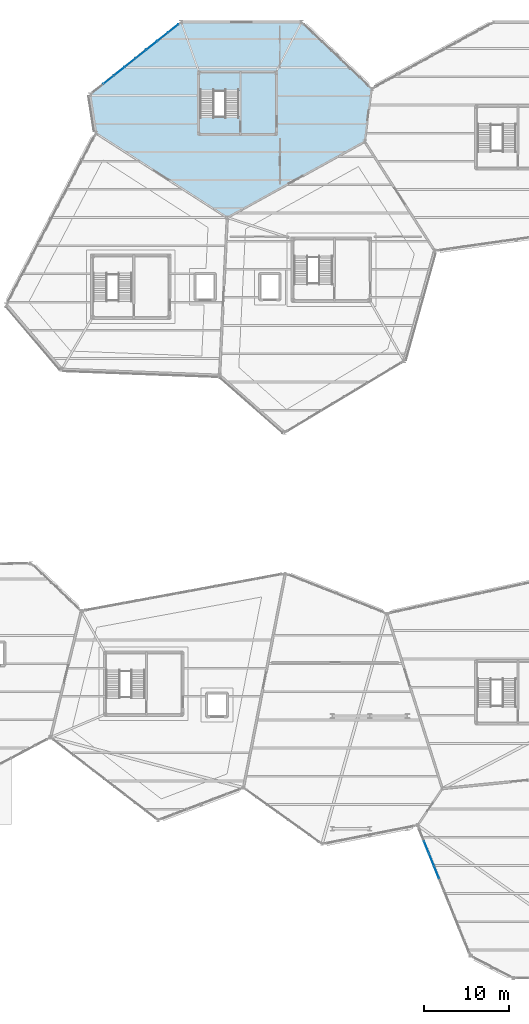
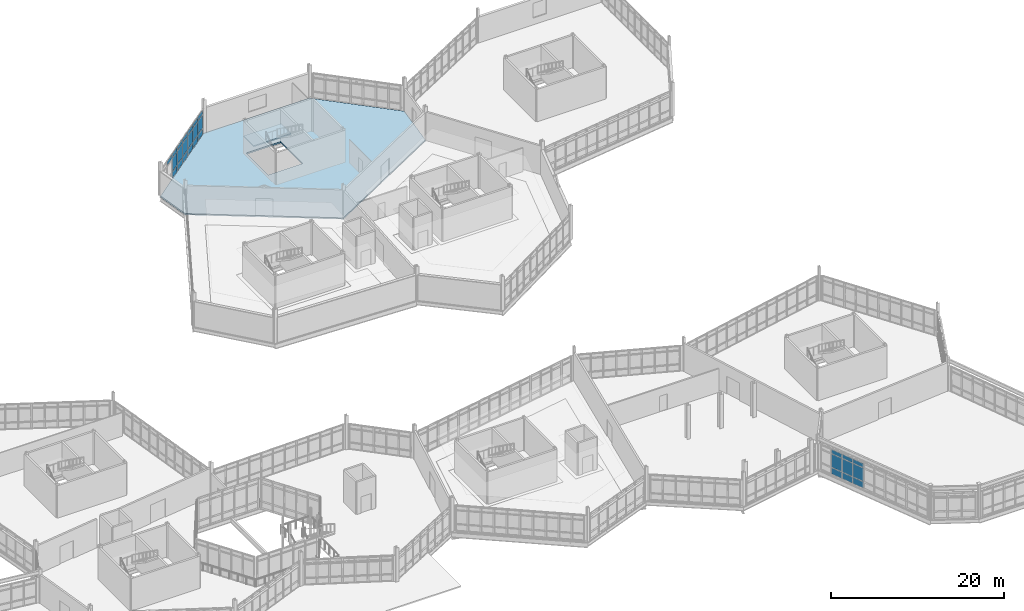
# One storey, part 95 of 134: 28 plates, 2 slabs, 3 elements without a shape of their own.
"""IFC4 building model written with IfcOpenShell, lengths in metres."""

import ifcopenshell
import ifcopenshell.guid

model = None  # the IFC model being written
_history = None  # IfcOwnerHistory: only IFC2X3 demands one
_inside = {}  # id of a spatial element -> (the spatial element, [elements in it])
_under = {}  # id of a project, library or spatial element -> (it, [spatial elements below it])
_declared = {}  # id of a project -> (the project, [libraries it declares])
_typed = {}  # id of a type object -> (the type object, [elements of that type])
_made_of = {}  # id of a material, layer set ... -> (it, [elements and type objects made of it])


def new_model(schema):
    """Start an empty IFC model of exactly this schema.

    Asked for "IFC4X3", IfcOpenShell would pick the latest addendum, in which some entities
    have other attributes; the version numbers below select the first issue.
    IFC2X3 requires an IfcOwnerHistory on every rooted entity: one is made here for all.
    """
    global model, _history
    if schema == "IFC4X3":
        model = ifcopenshell.file(schema_version=(4, 3, 0, 0))
    else:
        model = ifcopenshell.file(schema=schema)
    _inside.clear()
    _under.clear()
    _declared.clear()
    _typed.clear()
    _made_of.clear()
    _history = None
    if model.schema == "IFC2X3":
        org = make("IfcOrganization", Name="unknown")
        user = make(
            "IfcPersonAndOrganization",
            ThePerson=make("IfcPerson", FamilyName="unknown"),
            TheOrganization=org,
        )
        app = make(
            "IfcApplication",
            ApplicationDeveloper=org,
            Version="unknown",
            ApplicationFullName="unknown",
            ApplicationIdentifier="unknown",
        )
        _history = make(
            "IfcOwnerHistory",
            OwningUser=user,
            OwningApplication=app,
            ChangeAction="ADDED",
            CreationDate=0,
        )
    return model


def make(cls, **values):
    """One entity of the class cls with the attributes given. An attribute that is None is left unset."""
    return model.create_entity(
        cls, **{name: value for name, value in values.items() if value is not None}
    )


def rooted(cls, **values):
    """An entity with a GlobalId (a new one), such as an element, a storey or a relation."""
    return make(cls, GlobalId=ifcopenshell.guid.new(), OwnerHistory=_history, **values)


def si_unit(unit_type, name, prefix=None):
    """IfcSIUnit, for example si_unit("LENGTHUNIT", "METRE", prefix="MILLI")."""
    return make("IfcSIUnit", UnitType=unit_type, Prefix=prefix, Name=name)


def assignment(units):
    """IfcUnitAssignment: the units of a project."""
    return None if units is None else make("IfcUnitAssignment", Units=units)


def point(xyz):
    """IfcCartesianPoint."""
    return None if xyz is None else make("IfcCartesianPoint", Coordinates=xyz)


def direction(xyz):
    """IfcDirection."""
    return None if xyz is None else make("IfcDirection", DirectionRatios=xyz)


def frame(location, z_axis=None, x_axis=None):
    """IfcAxis2Placement3D, a coordinate frame: its origin and axes. An axis left out is left unset."""
    return make(
        "IfcAxis2Placement3D",
        Location=point(location),
        Axis=direction(z_axis),
        RefDirection=direction(x_axis),
    )


def frame_2d(location, x_axis=None):
    """IfcAxis2Placement2D, a coordinate frame in the plane: its origin and x axis."""
    return make(
        "IfcAxis2Placement2D", Location=point(location), RefDirection=direction(x_axis)
    )


def origin():
    """The frame at (0, 0, 0) with its axes left unset."""
    return frame((0.0, 0.0, 0.0))


def origin_2d():
    """The frame at (0, 0) in the plane with its x axis left unset."""
    return frame_2d((0.0, 0.0))


def place(relative_to, where):
    """IfcLocalPlacement: puts the frame where relative to a parent placement (None: the world)."""
    return make(
        "IfcLocalPlacement", PlacementRelTo=relative_to, RelativePlacement=where
    )


def context(
    kind, dimensions, precision=None, world=None, true_north=None, identifier=None
):
    """IfcGeometricRepresentationContext, for example the 3D "Model" context."""
    return make(
        "IfcGeometricRepresentationContext",
        ContextIdentifier=identifier,
        ContextType=kind,
        CoordinateSpaceDimension=dimensions,
        Precision=precision,
        WorldCoordinateSystem=world,
        TrueNorth=true_north,
    )


def subcontext(parent, identifier, kind, view, scale=None):
    """IfcGeometricRepresentationSubContext, for example "Body" below "Model"."""
    return make(
        "IfcGeometricRepresentationSubContext",
        ContextIdentifier=identifier,
        ContextType=kind,
        ParentContext=parent,
        TargetScale=scale,
        TargetView=view,
    )


def project(units=None, contexts=None):
    """IfcProject with its units and contexts."""
    return rooted(
        "IfcProject",
        Name="project",
        RepresentationContexts=contexts,
        UnitsInContext=assignment(units),
    )


def spatial(cls, under=None, at=None, **own):
    """A site, building, storey or space (cls), placed at a placement, below another one or the project."""
    s = rooted(cls, ObjectPlacement=at, **own)
    if under is not None:
        _under.setdefault(under.id(), (under, []))[1].append(s)
    return s


def polyline(points):
    """IfcPolyline through the points."""
    return make("IfcPolyline", Points=[point(p) for p in points])


def profile(cls, at=None, kind="AREA", **sizes):
    """A parametric profile (cls). Its sizes go by their IFC names, for example OverallWidth=200.0."""
    return make(cls, ProfileType=kind, Position=at, **sizes)


def rectangle(**sizes):
    """IfcRectangleProfileDef."""
    return profile("IfcRectangleProfileDef", **sizes)


def outline(outer, holes=None, kind="AREA"):
    """IfcArbitraryClosedProfileDef: a profile drawn as a closed curve; with holes, ...WithVoids."""
    if holes is None:
        return make("IfcArbitraryClosedProfileDef", ProfileType=kind, OuterCurve=outer)
    return make(
        "IfcArbitraryProfileDefWithVoids",
        ProfileType=kind,
        OuterCurve=outer,
        InnerCurves=holes,
    )


def extrude(swept, where, along, depth):
    """IfcExtrudedAreaSolid: the profile swept, set in the frame where, extruded along a direction by depth."""
    return make(
        "IfcExtrudedAreaSolid",
        SweptArea=swept,
        Position=where,
        ExtrudedDirection=direction(along),
        Depth=depth,
    )


def shape(context_of_items, identifier, shape_type, items):
    """IfcShapeRepresentation: the items that make up one representation, for example the "Body"."""
    return make(
        "IfcShapeRepresentation",
        ContextOfItems=context_of_items,
        RepresentationIdentifier=identifier,
        RepresentationType=shape_type,
        Items=items,
    )


def material(Name=None, Category=None):
    """IfcMaterial."""
    return make("IfcMaterial", Name=Name, Category=Category)


def layer(
    of_material, thickness, ventilated=None, Name=None, Category=None, Priority=None
):
    """IfcMaterialLayer: one layer of a wall or slab, of a material (None: an air gap)."""
    return make(
        "IfcMaterialLayer",
        Material=of_material,
        LayerThickness=thickness,
        IsVentilated=ventilated,
        Name=Name,
        Category=Category,
        Priority=Priority,
    )


def layer_set(layers, Name=None):
    """IfcMaterialLayerSet."""
    return make("IfcMaterialLayerSet", MaterialLayers=layers, LayerSetName=Name)


def made_of(thing, what):
    """Note that an element or type object is made of a material, layer set ...; save() writes the relation."""
    if what is not None:
        _made_of.setdefault(what.id(), (what, []))[1].append(thing)
    return thing


def type_object(cls, material=None, **own):
    """A type object (cls), such as IfcWallType, which elements share."""
    return made_of(rooted(cls, **own), material)


def element(
    cls,
    number,
    at=None,
    inside=None,
    cuts=None,
    type_object=None,
    material=None,
    context=None,
    identifier="Body",
    shape_type=None,
    held_by="IfcProductDefinitionShape",
    body=None,
    shapes=None,
    **own,
):
    """One element of the class cls, such as IfcWall. Its Tag is "e" and its number.

    at: its placement. inside: the storey or other place that contains it. cuts: it is an
    opening in that element (IfcRelVoidsElement). A single representation is given by context,
    identifier, shape_type and body (its items); several are given by shapes. held_by: the class
    of the entity that holds the representations. save() writes the other relations.
    """
    e = rooted(cls, Tag="e%d" % number, ObjectPlacement=at, **own)
    if body is not None:
        shapes = [shape(context, identifier, shape_type, body)]
    if shapes is not None:
        e.Representation = make(held_by, Representations=shapes)
    if inside is not None:
        _inside.setdefault(inside.id(), (inside, []))[1].append(e)
    if cuts is not None:
        rooted(
            "IfcRelVoidsElement", RelatingBuildingElement=cuts, RelatedOpeningElement=e
        )
    if type_object is not None:
        _typed.setdefault(type_object.id(), (type_object, []))[1].append(e)
    return made_of(e, material)


def aggregate(whole, parts):
    """IfcRelAggregates: a whole, such as a stair, and the parts it consists of."""
    return rooted("IfcRelAggregates", RelatingObject=whole, RelatedObjects=parts)


def save(model, path):
    """Write the relations noted so far, then the file.

    IfcRelAggregates (storeys below a building ...), IfcRelContainedInSpatialStructure (elements
    in a storey), IfcRelDefinesByType, IfcRelAssociatesMaterial and IfcRelDeclares: one each for
    every whole, place, type object, material and project.
    """
    for whole, parts in _under.values():
        aggregate(whole, parts)
    for where, things in _inside.values():
        rooted(
            "IfcRelContainedInSpatialStructure",
            RelatedElements=things,
            RelatingStructure=where,
        )
    for kind, things in _typed.values():
        rooted("IfcRelDefinesByType", RelatedObjects=things, RelatingType=kind)
    for what, things in _made_of.values():
        rooted("IfcRelAssociatesMaterial", RelatedObjects=things, RelatingMaterial=what)
    for by, libraries in _declared.values():
        rooted("IfcRelDeclares", RelatingContext=by, RelatedDefinitions=libraries)
    model.write(path)


model = new_model("IFC4")

# Units and contexts
model_context = context("Model", 3, precision=1e-05, world=origin(), true_north=direction((0.0, 1.0)))
body_context = subcontext(model_context, "Body", "Model", "MODEL_VIEW")
ifc_project = project(units=[si_unit("LENGTHUNIT", "METRE"), si_unit("AREAUNIT", "SQUARE_METRE"), si_unit("VOLUMEUNIT", "CUBIC_METRE"), si_unit("PLANEANGLEUNIT", "RADIAN"), si_unit("MASSUNIT", "GRAM", prefix="KILO")], contexts=[model_context])

# Site, building, storey
site_placement = place(None, origin())
site = spatial("IfcSite", under=ifc_project, at=site_placement, CompositionType="ELEMENT")
building_placement = place(site_placement, origin())
building = spatial("IfcBuilding", under=site, at=building_placement, Name="Tameran Prism Museum", CompositionType="ELEMENT")
storey_placement = place(building_placement, frame((0.0, 0.0, 5.39990234375)))
storey = spatial("IfcBuildingStorey", under=building, at=storey_placement, Name="L01", CompositionType="ELEMENT", Elevation=5.39990234375)

# Curtain wall, plates
ifc_material_1 = material(Name="Anodised Aluminium 6063-T6 and Cyclone Solar Glass", Category="aluminium")
curtain_wall_type_1 = type_object("IfcCurtainWallType", Name="CW-FAC-1296x362", PredefinedType="USERDEFINED", material=ifc_material_1)
curtain_wall_1_placement = place(storey_placement, origin())
curtain_wall_1 = element("IfcCurtainWall", 1, at=curtain_wall_1_placement, inside=storey, type_object=curtain_wall_type_1, Name="Unitised Curtain Wall CW-058", ObjectType="UNITISED CURTAIN WALL", PredefinedType="USERDEFINED")
ifc_material_2 = material(Name="Cyclone Laminated Solar Glass", Category="glass")
ifc_layer_1 = layer(ifc_material_2, 0.031982421875)
ifc_layer_set_1 = layer_set([ifc_layer_1])
plate_type = type_object("IfcPlateType", Name="CW-PNL-G32", PredefinedType="CURTAIN_PANEL", material=ifc_layer_set_1)
plate_1_placement = place(storey_placement, frame((104.87744140625, 105.22998046875, 2.97998046875), z_axis=(0.0, 0.0, 1.0), x_axis=(0.783031296178, 0.621982306183, 0.0)))
plate_1 = element("IfcPlate", 2, at=plate_1_placement, type_object=plate_type, Name="CW-058 panel 2.3", PredefinedType="CURTAIN_PANEL", context=body_context, shape_type="SweptSolid", body=[
    extrude(rectangle(XDim=1.54052734375, YDim=0.031982421875, at=origin_2d()), origin(), (0.0, 0.0, 1.0), 0.56005859375),
])
plate_2_placement = place(storey_placement, frame((106.146484375, 106.238037109375, 0.080078125), z_axis=(0.0, 0.0, 1.0), x_axis=(0.783031296178, 0.621982306183, 0.0)))
plate_2 = element("IfcPlate", 3, at=plate_2_placement, type_object=plate_type, Name="CW-058 panel 3.1", PredefinedType="CURTAIN_PANEL", context=body_context, shape_type="SweptSolid", body=[
    extrude(rectangle(XDim=1.54052734375, YDim=0.031982421875, at=origin_2d()), origin(), (0.0, 0.0, 1.0), 0.8798828125),
])
plate_3_placement = place(storey_placement, frame((106.146484375, 106.238037109375, 1.0400390625), z_axis=(0.0, 0.0, 1.0), x_axis=(0.783031296178, 0.621982306183, 0.0)))
plate_3 = element("IfcPlate", 4, at=plate_3_placement, type_object=plate_type, Name="CW-058 panel 3.2", PredefinedType="CURTAIN_PANEL", context=body_context, shape_type="SweptSolid", body=[
    extrude(rectangle(XDim=1.54052734375, YDim=0.031982421875, at=origin_2d()), origin(), (0.0, 0.0, 1.0), 1.860107421875),
])
plate_4_placement = place(storey_placement, frame((106.146484375, 106.238037109375, 2.97998046875), z_axis=(0.0, 0.0, 1.0), x_axis=(0.783031296178, 0.621982306183, 0.0)))
plate_4 = element("IfcPlate", 5, at=plate_4_placement, type_object=plate_type, Name="CW-058 panel 3.3", PredefinedType="CURTAIN_PANEL", context=body_context, shape_type="SweptSolid", body=[
    extrude(rectangle(XDim=1.54052734375, YDim=0.031982421875, at=origin_2d()), origin(), (0.0, 0.0, 1.0), 0.56005859375),
])
plate_5_placement = place(storey_placement, frame((107.41552734375, 107.24609375, 0.080078125), z_axis=(0.0, 0.0, 1.0), x_axis=(0.783031296178, 0.621982306183, 0.0)))
plate_5 = element("IfcPlate", 6, at=plate_5_placement, type_object=plate_type, Name="CW-058 panel 4.1", PredefinedType="CURTAIN_PANEL", context=body_context, shape_type="SweptSolid", body=[
    extrude(rectangle(XDim=1.54052734375, YDim=0.031982421875, at=origin_2d()), origin(), (0.0, 0.0, 1.0), 0.8798828125),
])
plate_6_placement = place(storey_placement, frame((107.41552734375, 107.24609375, 1.0400390625), z_axis=(0.0, 0.0, 1.0), x_axis=(0.783031296178, 0.621982306183, 0.0)))
plate_6 = element("IfcPlate", 7, at=plate_6_placement, type_object=plate_type, Name="CW-058 panel 4.2", PredefinedType="CURTAIN_PANEL", context=body_context, shape_type="SweptSolid", body=[
    extrude(rectangle(XDim=1.54052734375, YDim=0.031982421875, at=origin_2d()), origin(), (0.0, 0.0, 1.0), 1.860107421875),
])
plate_7_placement = place(storey_placement, frame((107.41552734375, 107.24609375, 2.97998046875), z_axis=(0.0, 0.0, 1.0), x_axis=(0.783031296178, 0.621982306183, 0.0)))
plate_7 = element("IfcPlate", 8, at=plate_7_placement, type_object=plate_type, Name="CW-058 panel 4.3", PredefinedType="CURTAIN_PANEL", context=body_context, shape_type="SweptSolid", body=[
    extrude(rectangle(XDim=1.54052734375, YDim=0.031982421875, at=origin_2d()), origin(), (0.0, 0.0, 1.0), 0.56005859375),
])
plate_8_placement = place(storey_placement, frame((108.6845703125, 108.25390625, 0.080078125), z_axis=(0.0, 0.0, 1.0), x_axis=(0.783031296178, 0.621982306183, 0.0)))
plate_8 = element("IfcPlate", 9, at=plate_8_placement, type_object=plate_type, Name="CW-058 panel 5.1", PredefinedType="CURTAIN_PANEL", context=body_context, shape_type="SweptSolid", body=[
    extrude(rectangle(XDim=1.54052734375, YDim=0.031982421875, at=origin_2d()), origin(), (0.0, 0.0, 1.0), 0.8798828125),
])
plate_9_placement = place(storey_placement, frame((108.6845703125, 108.25390625, 1.0400390625), z_axis=(0.0, 0.0, 1.0), x_axis=(0.783031296178, 0.621982306183, 0.0)))
plate_9 = element("IfcPlate", 10, at=plate_9_placement, type_object=plate_type, Name="CW-058 panel 5.2", PredefinedType="CURTAIN_PANEL", context=body_context, shape_type="SweptSolid", body=[
    extrude(rectangle(XDim=1.54052734375, YDim=0.031982421875, at=origin_2d()), origin(), (0.0, 0.0, 1.0), 1.860107421875),
])
plate_10_placement = place(storey_placement, frame((108.6845703125, 108.25390625, 2.97998046875), z_axis=(0.0, 0.0, 1.0), x_axis=(0.783031296178, 0.621982306183, 0.0)))
plate_10 = element("IfcPlate", 11, at=plate_10_placement, type_object=plate_type, Name="CW-058 panel 5.3", PredefinedType="CURTAIN_PANEL", context=body_context, shape_type="SweptSolid", body=[
    extrude(rectangle(XDim=1.54052734375, YDim=0.031982421875, at=origin_2d()), origin(), (0.0, 0.0, 1.0), 0.56005859375),
])
plate_11_placement = place(storey_placement, frame((109.95361328125, 109.261962890625, 0.080078125), z_axis=(0.0, 0.0, 1.0), x_axis=(0.783031296178, 0.621982306183, 0.0)))
plate_11 = element("IfcPlate", 12, at=plate_11_placement, type_object=plate_type, Name="CW-058 panel 6.1", PredefinedType="CURTAIN_PANEL", context=body_context, shape_type="SweptSolid", body=[
    extrude(rectangle(XDim=1.54052734375, YDim=0.031982421875, at=origin_2d()), origin(), (0.0, 0.0, 1.0), 0.8798828125),
])
plate_12_placement = place(storey_placement, frame((109.95361328125, 109.261962890625, 1.0400390625), z_axis=(0.0, 0.0, 1.0), x_axis=(0.783031296178, 0.621982306183, 0.0)))
plate_12 = element("IfcPlate", 13, at=plate_12_placement, type_object=plate_type, Name="CW-058 panel 6.2", PredefinedType="CURTAIN_PANEL", context=body_context, shape_type="SweptSolid", body=[
    extrude(rectangle(XDim=1.54052734375, YDim=0.031982421875, at=origin_2d()), origin(), (0.0, 0.0, 1.0), 1.860107421875),
])
plate_13_placement = place(storey_placement, frame((109.95361328125, 109.261962890625, 2.97998046875), z_axis=(0.0, 0.0, 1.0), x_axis=(0.783031296178, 0.621982306183, 0.0)))
plate_13 = element("IfcPlate", 14, at=plate_13_placement, type_object=plate_type, Name="CW-058 panel 6.3", PredefinedType="CURTAIN_PANEL", context=body_context, shape_type="SweptSolid", body=[
    extrude(rectangle(XDim=1.54052734375, YDim=0.031982421875, at=origin_2d()), origin(), (0.0, 0.0, 1.0), 0.56005859375),
])
plate_14_placement = place(storey_placement, frame((111.222412109375, 110.27001953125, 0.080078125), z_axis=(0.0, 0.0, 1.0), x_axis=(0.783031296178, 0.621982306183, 0.0)))
plate_14 = element("IfcPlate", 15, at=plate_14_placement, type_object=plate_type, Name="CW-058 panel 7.1", PredefinedType="CURTAIN_PANEL", context=body_context, shape_type="SweptSolid", body=[
    extrude(rectangle(XDim=1.54052734375, YDim=0.031982421875, at=origin_2d()), origin(), (0.0, 0.0, 1.0), 0.8798828125),
])
plate_15_placement = place(storey_placement, frame((111.222412109375, 110.27001953125, 1.0400390625), z_axis=(0.0, 0.0, 1.0), x_axis=(0.783031296178, 0.621982306183, 0.0)))
plate_15 = element("IfcPlate", 16, at=plate_15_placement, type_object=plate_type, Name="CW-058 panel 7.2", PredefinedType="CURTAIN_PANEL", context=body_context, shape_type="SweptSolid", body=[
    extrude(rectangle(XDim=1.54052734375, YDim=0.031982421875, at=origin_2d()), origin(), (0.0, 0.0, 1.0), 1.860107421875),
])
plate_16_placement = place(storey_placement, frame((111.222412109375, 110.27001953125, 2.97998046875), z_axis=(0.0, 0.0, 1.0), x_axis=(0.783031296178, 0.621982306183, 0.0)))
plate_16 = element("IfcPlate", 17, at=plate_16_placement, type_object=plate_type, Name="CW-058 panel 7.3", PredefinedType="CURTAIN_PANEL", context=body_context, shape_type="SweptSolid", body=[
    extrude(rectangle(XDim=1.54052734375, YDim=0.031982421875, at=origin_2d()), origin(), (0.0, 0.0, 1.0), 0.56005859375),
])
plate_17_placement = place(storey_placement, frame((112.475830078125, 111.265625, 0.080078125), z_axis=(0.0, 0.0, 1.0), x_axis=(0.783031296178, 0.621982306183, 0.0)))
plate_17 = element("IfcPlate", 18, at=plate_17_placement, type_object=plate_type, Name="CW-058 panel 8.1", PredefinedType="CURTAIN_PANEL", context=body_context, shape_type="SweptSolid", body=[
    extrude(rectangle(XDim=1.500732421875, YDim=0.031982421875, at=origin_2d()), origin(), (0.0, 0.0, 1.0), 0.8798828125),
])
plate_18_placement = place(storey_placement, frame((112.475830078125, 111.265625, 1.0400390625), z_axis=(0.0, 0.0, 1.0), x_axis=(0.783031296178, 0.621982306183, 0.0)))
plate_18 = element("IfcPlate", 19, at=plate_18_placement, type_object=plate_type, Name="CW-058 panel 8.2", PredefinedType="CURTAIN_PANEL", context=body_context, shape_type="SweptSolid", body=[
    extrude(rectangle(XDim=1.500732421875, YDim=0.031982421875, at=origin_2d()), origin(), (0.0, 0.0, 1.0), 1.860107421875),
])
plate_19_placement = place(storey_placement, frame((112.475830078125, 111.265625, 2.97998046875), z_axis=(0.0, 0.0, 1.0), x_axis=(0.783031296178, 0.621982306183, 0.0)))
plate_19 = element("IfcPlate", 20, at=plate_19_placement, type_object=plate_type, Name="CW-058 panel 8.3", PredefinedType="CURTAIN_PANEL", context=body_context, shape_type="SweptSolid", body=[
    extrude(rectangle(XDim=1.500732421875, YDim=0.031982421875, at=origin_2d()), origin(), (0.0, 0.0, 1.0), 0.56005859375),
])
aggregate(curtain_wall_1, [plate_1, plate_2, plate_3, plate_4, plate_5, plate_6, plate_7, plate_8, plate_9, plate_10, plate_11, plate_12, plate_13, plate_14, plate_15, plate_16, plate_17, plate_18, plate_19])

ifc_material_3 = material(Name="Anodised Aluminium 6063-T6 and Cyclone Solar Glass", Category="aluminium")
curtain_wall_type_2 = type_object("IfcCurtainWallType", Name="CW-FAC-1575x362", PredefinedType="USERDEFINED", material=ifc_material_3)
curtain_wall_2_placement = place(storey_placement, origin())
curtain_wall_2 = element("IfcCurtainWall", 21, at=curtain_wall_2_placement, inside=storey, type_object=curtain_wall_type_2, Name="Unitised Curtain Wall CW-078", ObjectType="UNITISED CURTAIN WALL", PredefinedType="USERDEFINED")
plate_20_placement = place(storey_placement, frame((143.32421875, 12.411376953125, 0.080078125), z_axis=(0.0, 0.0, 1.0), x_axis=(-0.375579825863, 0.926790048719, 0.0)))
plate_20 = element("IfcPlate", 22, at=plate_20_placement, type_object=plate_type, Name="CW-078 panel 7.1", PredefinedType="CURTAIN_PANEL", context=body_context, shape_type="SweptSolid", body=[
    extrude(rectangle(XDim=1.494873046875, YDim=0.031982421875, at=origin_2d()), origin(), (0.0, 0.0, 1.0), 0.8798828125),
])
plate_21_placement = place(storey_placement, frame((143.32421875, 12.411376953125, 1.0400390625), z_axis=(0.0, 0.0, 1.0), x_axis=(-0.375579825863, 0.926790048719, 0.0)))
plate_21 = element("IfcPlate", 23, at=plate_21_placement, type_object=plate_type, Name="CW-078 panel 7.2", PredefinedType="CURTAIN_PANEL", context=body_context, shape_type="SweptSolid", body=[
    extrude(rectangle(XDim=1.494873046875, YDim=0.031982421875, at=origin_2d()), origin(), (0.0, 0.0, 1.0), 1.860107421875),
])
plate_22_placement = place(storey_placement, frame((143.32421875, 12.411376953125, 2.97998046875), z_axis=(0.0, 0.0, 1.0), x_axis=(-0.375579825863, 0.926790048719, 0.0)))
plate_22 = element("IfcPlate", 24, at=plate_22_placement, type_object=plate_type, Name="CW-078 panel 7.3", PredefinedType="CURTAIN_PANEL", context=body_context, shape_type="SweptSolid", body=[
    extrude(rectangle(XDim=1.494873046875, YDim=0.031982421875, at=origin_2d()), origin(), (0.0, 0.0, 1.0), 0.56005859375),
])
plate_23_placement = place(storey_placement, frame((142.732666015625, 13.87109375, 0.080078125), z_axis=(0.0, 0.0, 1.0), x_axis=(-0.375579825863, 0.926790048719, 0.0)))
plate_23 = element("IfcPlate", 25, at=plate_23_placement, type_object=plate_type, Name="CW-078 panel 8.1", PredefinedType="CURTAIN_PANEL", context=body_context, shape_type="SweptSolid", body=[
    extrude(rectangle(XDim=1.494873046875, YDim=0.031982421875, at=origin_2d()), origin(), (0.0, 0.0, 1.0), 0.8798828125),
])
plate_24_placement = place(storey_placement, frame((142.732666015625, 13.87109375, 1.0400390625), z_axis=(0.0, 0.0, 1.0), x_axis=(-0.375579825863, 0.926790048719, 0.0)))
plate_24 = element("IfcPlate", 26, at=plate_24_placement, type_object=plate_type, Name="CW-078 panel 8.2", PredefinedType="CURTAIN_PANEL", context=body_context, shape_type="SweptSolid", body=[
    extrude(rectangle(XDim=1.494873046875, YDim=0.031982421875, at=origin_2d()), origin(), (0.0, 0.0, 1.0), 1.860107421875),
])
plate_25_placement = place(storey_placement, frame((142.732666015625, 13.87109375, 2.97998046875), z_axis=(0.0, 0.0, 1.0), x_axis=(-0.375579825863, 0.926790048719, 0.0)))
plate_25 = element("IfcPlate", 27, at=plate_25_placement, type_object=plate_type, Name="CW-078 panel 8.3", PredefinedType="CURTAIN_PANEL", context=body_context, shape_type="SweptSolid", body=[
    extrude(rectangle(XDim=1.494873046875, YDim=0.031982421875, at=origin_2d()), origin(), (0.0, 0.0, 1.0), 0.56005859375),
])
plate_26_placement = place(storey_placement, frame((142.141357421875, 15.33056640625, 0.080078125), z_axis=(0.0, 0.0, 1.0), x_axis=(-0.375579825863, 0.926790048719, 0.0)))
plate_26 = element("IfcPlate", 28, at=plate_26_placement, type_object=plate_type, Name="CW-078 panel 9.1", PredefinedType="CURTAIN_PANEL", context=body_context, shape_type="SweptSolid", body=[
    extrude(rectangle(XDim=1.494873046875, YDim=0.031982421875, at=origin_2d()), origin(), (0.0, 0.0, 1.0), 0.8798828125),
])
plate_27_placement = place(storey_placement, frame((142.141357421875, 15.33056640625, 1.0400390625), z_axis=(0.0, 0.0, 1.0), x_axis=(-0.375579825863, 0.926790048719, 0.0)))
plate_27 = element("IfcPlate", 29, at=plate_27_placement, type_object=plate_type, Name="CW-078 panel 9.2", PredefinedType="CURTAIN_PANEL", context=body_context, shape_type="SweptSolid", body=[
    extrude(rectangle(XDim=1.494873046875, YDim=0.031982421875, at=origin_2d()), origin(), (0.0, 0.0, 1.0), 1.860107421875),
])
plate_28_placement = place(storey_placement, frame((142.141357421875, 15.33056640625, 2.97998046875), z_axis=(0.0, 0.0, 1.0), x_axis=(-0.375579825863, 0.926790048719, 0.0)))
plate_28 = element("IfcPlate", 30, at=plate_28_placement, type_object=plate_type, Name="CW-078 panel 9.3", PredefinedType="CURTAIN_PANEL", context=body_context, shape_type="SweptSolid", body=[
    extrude(rectangle(XDim=1.494873046875, YDim=0.031982421875, at=origin_2d()), origin(), (0.0, 0.0, 1.0), 0.56005859375),
])
aggregate(curtain_wall_2, [plate_20, plate_21, plate_22, plate_23, plate_24, plate_25, plate_26, plate_27, plate_28])

# Slab
ifc_material_4 = material(Name="Concrete N32 (32 MPa)", Category="concrete")
ifc_layer_2 = layer(ifc_material_4, 0.199951171875)
ifc_layer_set_2 = layer_set([ifc_layer_2])
slab_type_1 = type_object("IfcSlabType", Name="SL-FLR-200", PredefinedType="FLOOR", material=ifc_layer_set_2)
slab_1_placement = place(storey_placement, frame((0.0, 0.0, -0.199951171875)))
element("IfcSlab", 31, at=slab_1_placement, inside=storey, type_object=slab_type_1, Name="Floor Slab FS-P03-L01", PredefinedType="FLOOR", context=body_context, shape_type="SweptSolid", body=[
    extrude(outline(polyline([(102.699951171875, 103.5), (113.39990234375, 112.0), (127.5, 112.0), (135.699951171875, 104.199951171875), (134.89990234375, 98.0), (118.800048828125, 89.10009765625), (103.39990234375, 99.0), (102.699951171875, 103.5)]), holes=[polyline([(120.219970703125, 106.050048828125), (115.60009765625, 106.050048828125), (115.60009765625, 100.93994140625), (120.219970703125, 100.93994140625), (120.219970703125, 106.050048828125)])]), origin(), (0.0, 0.0, 1.0), 0.199951171875),
])

# Stair, slab
ifc_material_5 = material(Name="Concrete N40 (40 MPa)", Category="concrete")
stair_type = type_object("IfcStairType", Name="ST-CORE-48", PredefinedType="HALF_TURN_STAIR", material=ifc_material_5)
stair_placement = place(storey_placement, origin())
stair = element("IfcStair", 32, at=stair_placement, inside=storey, type_object=stair_type, Name="Fire-Isolated Stair ST-07-L01", PredefinedType="HALF_TURN_STAIR")
ifc_material_6 = material(Name="Concrete N40 (40 MPa)", Category="concrete")
ifc_layer_3 = layer(ifc_material_6, 0.18505859375)
ifc_layer_set_3 = layer_set([ifc_layer_3])
slab_type_2 = type_object("IfcSlabType", Name="SL-LND-185", PredefinedType="LANDING", material=ifc_layer_set_3)
slab_2_placement = place(storey_placement, frame((0.0, 0.0, 2.215087890625)))
slab_2 = element("IfcSlab", 33, at=slab_2_placement, type_object=slab_type_2, Name="ST-07-L01 landing 1", PredefinedType="LANDING", context=body_context, shape_type="SweptSolid", body=[
    extrude(outline(polyline([(115.3798828125, 103.9150390625), (120.3701171875, 103.9150390625), (120.3701171875, 106.219970703125), (115.3798828125, 106.219970703125), (115.3798828125, 103.9150390625)])), origin(), (0.0, 0.0, 1.0), 0.18505859375),
])
aggregate(stair, [slab_2])

save(model, "model.ifc")
